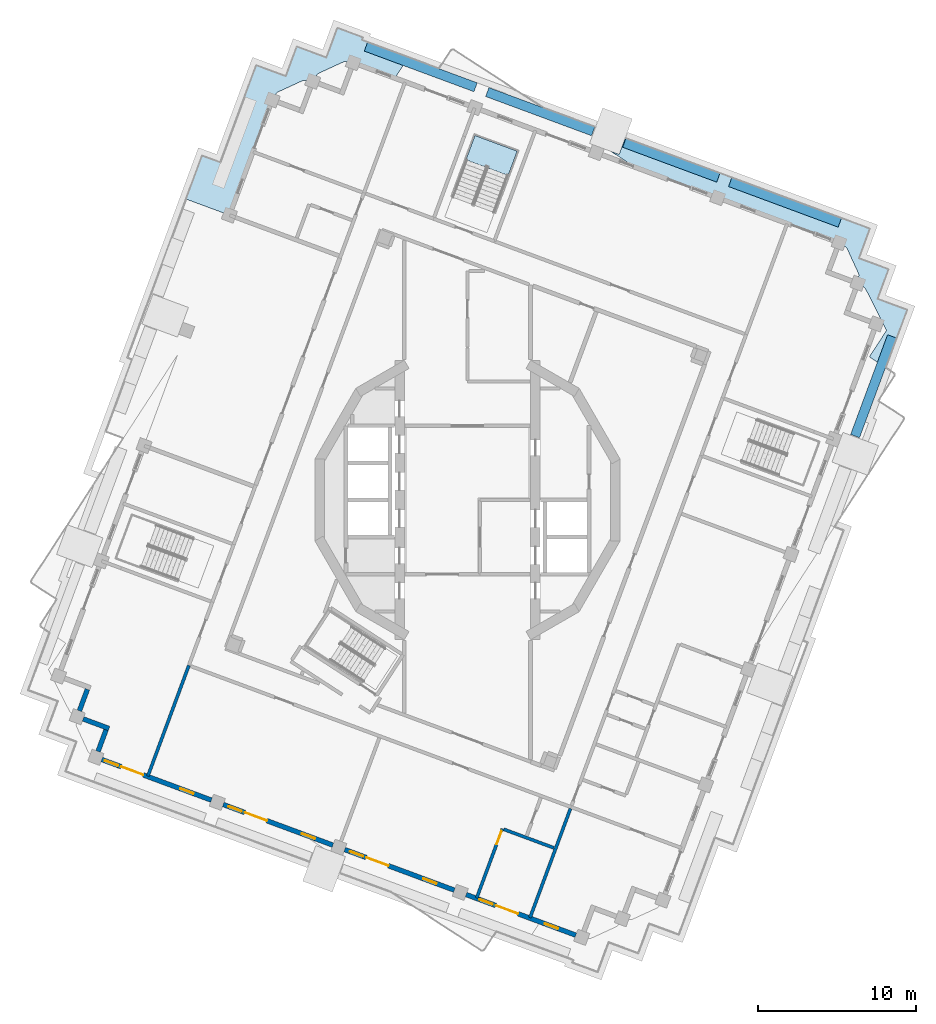
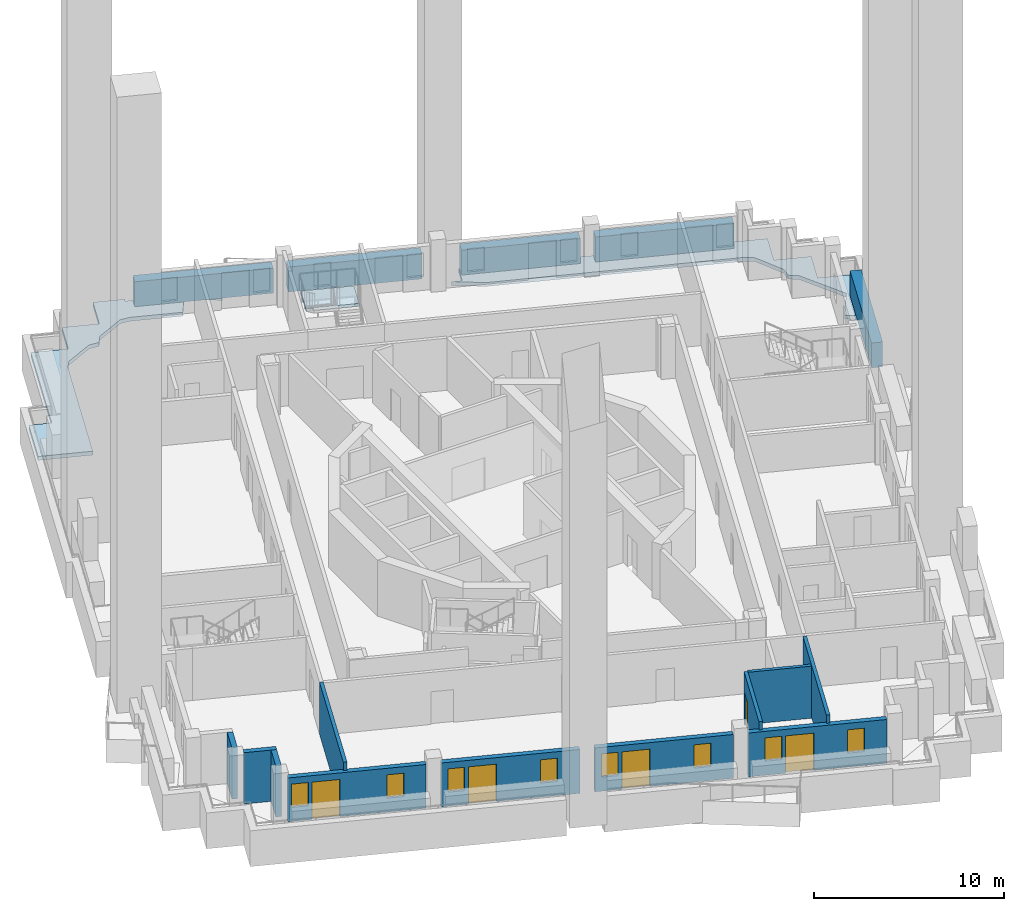
# One storey, part 2 of 20: 11 walls, 8 windows, 5 doors, 5 plates, 3 slabs, 13 openings, 1 element without a shape of its own.
"""IFC4 building model written with IfcOpenShell, lengths in metres."""

from ifc_helpers import new_model, si_unit, direction, frame, frame_2d, origin, origin_2d, place, context, subcontext, project, spatial, polyline, rectangle, outline, extrude, material, layer, layer_set, type_object, element, fill, aggregate, save


model = new_model("IFC4")

# Units and contexts
model_context = context("Model", 3, precision=1e-05, world=origin(), true_north=direction((0.0, 1.0)))
body_context = subcontext(model_context, "Body", "Model", "MODEL_VIEW")
ifc_project = project(units=[si_unit("LENGTHUNIT", "METRE"), si_unit("AREAUNIT", "SQUARE_METRE"), si_unit("VOLUMEUNIT", "CUBIC_METRE"), si_unit("PLANEANGLEUNIT", "RADIAN"), si_unit("MASSUNIT", "GRAM", prefix="KILO")], contexts=[model_context])

# Site, building, storey
site_placement = place(None, origin())
site = spatial("IfcSite", under=ifc_project, at=site_placement, CompositionType="ELEMENT")
building_placement = place(site_placement, origin())
building = spatial("IfcBuilding", under=site, at=building_placement, Name="Cantera Rosa Tower", CompositionType="ELEMENT")
storey_placement = place(building_placement, frame((0.0, 0.0, 306.10009765625)))
storey = spatial("IfcBuildingStorey", under=building, at=storey_placement, Name="L67", CompositionType="ELEMENT", Elevation=306.10009765625)

# Slabs
ifc_material_1 = material(Name="Concrete C35/45", Category="concrete")
ifc_layer_1 = layer(ifc_material_1, 0.25)
ifc_layer_set_1 = layer_set([ifc_layer_1], Name="LOGGIA SLAB 250 C35/45")
slab_type_1 = type_object("IfcSlabType", Name="LOGGIA SLAB 250 C35/45", PredefinedType="FLOOR", material=ifc_layer_set_1)
slab_1_placement = place(storey_placement, frame((0.0, 0.0, -0.25)))
element("IfcSlab", 1, at=slab_1_placement, inside=storey, type_object=slab_type_1, Name="LOGGIA SLAB L67 2", PredefinedType="FLOOR", context=body_context, shape_type="SweptSolid", body=[
    extrude(outline(polyline([(-11.779541015625, 26.920654296875), (-11.498291015625, 26.81640625), (-11.39404296875, 27.097900390625), (-10.80322265625, 28.69189453125), (-9.209228515625, 28.10107421875), (-8.927978515625, 27.996826171875), (-8.23291015625, 29.872314453125), (-6.638916015625, 29.281494140625), (-6.69921875, 29.119140625), (-1.819091796875, 27.310791015625), (-2.07177734375, 26.921630859375), (-3.7490234375, 28.0107421875), (-4.593505859375, 26.710693359375), (-6.25048828125, 27.32470703125), (-7.2294921875, 27.6875), (-7.6962890625, 27.74755859375), (-7.7255859375, 27.750732421875), (-7.7548828125, 27.751220703125), (-7.784423828125, 27.74853515625), (-7.813232421875, 27.7431640625), (-7.841552734375, 27.735107421875), (-7.868896484375, 27.72412109375), (-9.4111328125, 27.015625), (-9.437255859375, 27.002197265625), (-9.4619140625, 26.986083984375), (-9.48486328125, 26.9677734375), (-9.505859375, 26.947021484375), (-9.52490234375, 26.924560546875), (-9.54150390625, 26.900146484375), (-9.800048828125, 26.507080078125), (-10.2666015625, 26.567138671875), (-10.2958984375, 26.5703125), (-10.325439453125, 26.57080078125), (-10.354736328125, 26.568115234375), (-10.383544921875, 26.562744140625), (-10.411865234375, 26.554443359375), (-10.439208984375, 26.543701171875), (-11.9814453125, 25.835205078125), (-12.007568359375, 25.82177734375), (-12.0322265625, 25.8056640625), (-12.05517578125, 25.787353515625), (-12.076171875, 25.7666015625), (-12.09521484375, 25.744140625), (-12.11181640625, 25.7197265625), (-12.370361328125, 25.32666015625), (-12.733154296875, 24.347412109375), (-15.07373046875, 18.031494140625), (-17.816162109375, 19.047607421875), (-16.7998046875, 21.790283203125), (-15.651611328125, 21.36474609375), (-13.96435546875, 25.917236328125), (-13.373779296875, 27.511474609375), (-11.779541015625, 26.920654296875)])), origin(), (0.0, 0.0, 1.0), 0.25),
])
slab_2_placement = place(storey_placement, frame((0.0, 0.0, -0.25)))
element("IfcSlab", 2, at=slab_2_placement, inside=storey, type_object=slab_type_1, Name="LOGGIA SLAB L67 4", PredefinedType="FLOOR", context=body_context, shape_type="SweptSolid", body=[
    extrude(outline(polyline([(24.75927734375, 15.300048828125), (25.22802734375, 15.126220703125), (26.634765625, 14.60498046875), (26.11328125, 13.198486328125), (25.939697265625, 12.729736328125), (26.408447265625, 12.555908203125), (27.815185546875, 12.03466796875), (27.2939453125, 10.628173828125), (26.46435546875, 8.389892578125), (25.436767578125, 9.057373046875), (26.232177734375, 10.2822265625), (26.52587890625, 10.734619140625), (25.215576171875, 13.330810546875), (25.201904296875, 13.35693359375), (25.18603515625, 13.381591796875), (25.16748046875, 13.404541015625), (25.14697265625, 13.42578125), (25.12451171875, 13.444580078125), (25.10009765625, 13.461181640625), (24.706787109375, 13.7197265625), (24.76708984375, 14.186279296875), (24.770263671875, 14.2158203125), (24.7705078125, 14.2451171875), (24.76806640625, 14.2744140625), (24.7626953125, 14.303466796875), (24.75439453125, 14.331787109375), (24.743408203125, 14.35888671875), (24.03515625, 15.901123046875), (24.021484375, 15.92724609375), (24.005615234375, 15.951904296875), (23.987060546875, 15.974853515625), (23.966552734375, 15.99609375), (23.944091796875, 16.014892578125), (23.919677734375, 16.031494140625), (23.526611328125, 16.2900390625), (10.589111328125, 21.08447265625), (9.05908203125, 22.077880859375), (9.60009765625, 21.87744140625), (9.982421875, 22.90869140625), (10.076171875, 22.8740234375), (14.9521484375, 21.067138671875), (17.76513671875, 20.024658203125), (24.047607421875, 17.696533203125), (25.454345703125, 17.17529296875), (24.93310546875, 15.768798828125), (24.75927734375, 15.300048828125)])), origin(), (0.0, 0.0, 1.0), 0.25),
])

# Plates
ifc_material_2 = material(Name="Cantera stone planter with soil", Category="masonry")
plate_type = type_object("IfcPlateType", Name="PLANTER 600", PredefinedType="USERDEFINED", material=ifc_material_2)
plate_1_placement = place(storey_placement, frame((20.098876953125, 18.83984375, -0.000244140625), z_axis=(0.0, 0.0, 1.0), x_axis=(-0.937686936924, 0.347481234489, 0.0)))
element("IfcPlate", 3, at=plate_1_placement, inside=storey, type_object=plate_type, Name="PLANTER L67-01", ObjectType="PLANTER", PredefinedType="USERDEFINED", context=body_context, shape_type="SweptSolid", body=[
    extrude(rectangle(XDim=7.39990234375, YDim=0.60009765625, at=origin_2d()), origin(), (0.0, 0.0, 1.0), 1.60009765625),
])
plate_2_placement = place(storey_placement, frame((12.902099609375, 21.5068359375, -0.000244140625), z_axis=(0.0, 0.0, 1.0), x_axis=(-0.937686936924, 0.347481234489, 0.0)))
element("IfcPlate", 4, at=plate_2_placement, inside=storey, type_object=plate_type, Name="PLANTER L67-02", ObjectType="PLANTER", PredefinedType="USERDEFINED", context=body_context, shape_type="SweptSolid", body=[
    extrude(rectangle(XDim=6.35009765625, YDim=0.60009765625, at=origin_2d()), origin(), (0.0, 0.0, 1.0), 1.60009765625),
])
plate_3_placement = place(storey_placement, frame((4.603759765625, 24.58203125, -0.000244140625), z_axis=(0.0, 0.0, 1.0), x_axis=(-0.937686936924, 0.347481234489, 0.0)))
element("IfcPlate", 5, at=plate_3_placement, inside=storey, type_object=plate_type, Name="PLANTER L67-03", ObjectType="PLANTER", PredefinedType="USERDEFINED", context=body_context, shape_type="SweptSolid", body=[
    extrude(rectangle(XDim=7.14990234375, YDim=0.60009765625, at=origin_2d()), origin(), (0.0, 0.0, 1.0), 1.60009765625),
])
plate_4_placement = place(storey_placement, frame((-2.958740234375, 27.4130859375, -0.000244140625), z_axis=(0.0, 0.0, 1.0), x_axis=(-0.937686936924, 0.347481234489, 0.0)))
element("IfcPlate", 6, at=plate_4_placement, inside=storey, type_object=plate_type, Name="PLANTER L67-04", ObjectType="PLANTER", PredefinedType="USERDEFINED", context=body_context, shape_type="SweptSolid", body=[
    extrude(rectangle(XDim=7.39990234375, YDim=0.60009765625, at=origin_2d()), origin(), (0.0, 0.0, 1.0), 1.60009765625),
])
plate_5_placement = place(storey_placement, frame((25.704345703125, 7.201904296875, -0.000244140625), z_axis=(0.0, 0.0, 1.0), x_axis=(0.347481234489, 0.937686936924, 0.0)))
element("IfcPlate", 7, at=plate_5_placement, inside=storey, type_object=plate_type, Name="PLANTER L67-18", ObjectType="PLANTER", PredefinedType="USERDEFINED", context=body_context, shape_type="SweptSolid", body=[
    extrude(rectangle(XDim=6.72998046875, YDim=0.60009765625, at=origin_2d()), origin(), (0.0, 0.0, 1.0), 1.60009765625),
])

# Stair, slab
ifc_material_3 = material(Name="Concrete C35/45", Category="concrete")
stair_type = type_object("IfcStairType", Name="EXIT STAIR 1350 DOGLEG", PredefinedType="HALF_TURN_STAIR", material=ifc_material_3)
stair_placement = place(storey_placement, origin())
stair = element("IfcStair", 8, at=stair_placement, inside=storey, type_object=stair_type, Name="L67 ST-62", PredefinedType="HALF_TURN_STAIR")
ifc_material_4 = material(Name="Concrete C35/45", Category="concrete")
ifc_layer_2 = layer(ifc_material_4, 0.199951171875)
ifc_layer_set_2 = layer_set([ifc_layer_2], Name="STAIR LANDING 200")
slab_type_2 = type_object("IfcSlabType", Name="STAIR LANDING 200", PredefinedType="LANDING", material=ifc_layer_set_2)
slab_3_placement = place(storey_placement, frame((0.0, 0.0, 1.599853515625)))
slab_3 = element("IfcSlab", 9, at=slab_3_placement, type_object=slab_type_2, Name="ST-62 landing 1", PredefinedType="LANDING", context=body_context, shape_type="SweptSolid", body=[
    extrude(outline(polyline([(2.573974609375, 20.543701171875), (3.14453125, 22.08349609375), (0.47216796875, 23.07373046875), (-0.098388671875, 21.5341796875), (2.573974609375, 20.543701171875)])), origin(), (0.0, 0.0, 1.0), 0.199951171875),
])
aggregate(stair, [slab_3])

# Walls
ifc_material_5 = material(Name="Hollow clay masonry with cantera stone cladding", Category="masonry")
ifc_layer_3 = layer(ifc_material_5, 0.300048828125)
ifc_layer_set_3 = layer_set([ifc_layer_3], Name="EW-LOGGIA 300")
wall_type_1 = type_object("IfcWallType", Name="EW-LOGGIA 300", PredefinedType="SOLIDWALL", material=ifc_layer_set_3)
wall_1_placement = place(storey_placement, frame((-24.06396484375, -11.985107421875, 0.0), z_axis=(0.0, 0.0, 1.0), x_axis=(-0.347522732201, -0.937671557958, 0.0)))
element("IfcWall", 10, at=wall_1_placement, inside=storey, type_object=wall_type_1, Name="EN-L67-W12b", PredefinedType="SOLIDWALL", context=body_context, shape_type="SweptSolid", body=[
    extrude(rectangle(XDim=1.449951171875, YDim=0.300048828125, at=frame_2d((0.72509765625, 0.0))), origin(), (0.0, 0.0, 1.0), 3.2998046875),
])
wall_2_placement = place(storey_placement, frame((-24.331787109375, -13.858642578125, 0.0), z_axis=(0.0, 0.0, 1.0), x_axis=(0.937669639538, -0.34752790836, 0.0)))
element("IfcWall", 11, at=wall_2_placement, inside=storey, type_object=wall_type_1, Name="EN-L67-W13a", PredefinedType="SOLIDWALL", context=body_context, shape_type="SweptSolid", body=[
    extrude(rectangle(XDim=1.75, YDim=0.300048828125, at=frame_2d((0.875, 0.0))), origin(), (0.0, 0.0, 1.0), 3.2998046875),
])
wall_3_placement = place(storey_placement, frame((-22.883544921875, -14.555419921875, 0.0), z_axis=(0.0, 0.0, 1.0), x_axis=(-0.347522732201, -0.937671557958, 0.0)))
element("IfcWall", 12, at=wall_3_placement, inside=storey, type_object=wall_type_1, Name="EN-L67-W13b", PredefinedType="SOLIDWALL", context=body_context, shape_type="SweptSolid", body=[
    extrude(rectangle(XDim=1.449951171875, YDim=0.300048828125, at=frame_2d((0.72509765625, 0.0))), origin(), (0.0, 0.0, 1.0), 3.2998046875),
])

# Wall, openings, windows, door
ifc_material_6 = material(Name="Hollow clay masonry with cantera stone cladding", Category="masonry")
ifc_layer_4 = layer(ifc_material_6, 0.300048828125)
ifc_layer_set_4 = layer_set([ifc_layer_4], Name="EW-LOGGIA 300 H2820")
wall_type_2 = type_object("IfcWallType", Name="EW-LOGGIA 300 H2820", PredefinedType="SOLIDWALL", material=ifc_layer_set_4)
wall_4_placement = place(storey_placement, frame((-23.1513671875, -16.428955078125, 0.0), z_axis=(0.0, 0.0, 1.0), x_axis=(0.937676706507, -0.347508840281, 0.0)))
wall_4 = element("IfcWall", 13, at=wall_4_placement, inside=storey, type_object=wall_type_2, Name="EN-L67-W14", PredefinedType="SOLIDWALL", context=body_context, shape_type="SweptSolid", body=[
    extrude(rectangle(XDim=7.39990234375, YDim=0.300048828125, at=frame_2d((3.699951171875, 0.0))), origin(), (0.0, 0.0, 1.0), 2.81982421875),
])
opening_1_placement = place(wall_4_placement, frame((0.199951171875, 0.0, 0.89990234375)))
opening_1 = element("IfcOpeningElement", 14, at=opening_1_placement, cuts=wall_4, Name="Opening L67-W22", PredefinedType="OPENING", context=body_context, shape_type="SweptSolid", body=[
    extrude(rectangle(XDim=0.89990234375, YDim=1.5, at=frame_2d((0.449951171875, 0.75))), frame((0.0, 0.159912109375, 0.0), z_axis=(0.0, -1.0, 0.0), x_axis=(1.0, 0.0, 0.0)), (0.0, 0.0, 1.0), 0.320068359375),
])
opening_2_placement = place(wall_4_placement, frame((1.300048828125, 0.0, 0.0)))
opening_2 = element("IfcOpeningElement", 15, at=opening_2_placement, cuts=wall_4, Name="Opening L67-TD23", PredefinedType="OPENING", context=body_context, shape_type="SweptSolid", body=[
    extrude(rectangle(XDim=1.5, YDim=2.39990234375, at=frame_2d((0.75, 1.199951171875))), frame((0.0, 0.159912109375, 0.0), z_axis=(0.0, -1.0, 0.0), x_axis=(1.0, 0.0, 0.0)), (0.0, 0.0, 1.0), 0.320068359375),
])
opening_3_placement = place(wall_4_placement, frame((5.300048828125, 0.0, 0.89990234375)))
opening_3 = element("IfcOpeningElement", 16, at=opening_3_placement, cuts=wall_4, Name="Opening L67-W24", PredefinedType="OPENING", context=body_context, shape_type="SweptSolid", body=[
    extrude(rectangle(XDim=0.89990234375, YDim=1.5, at=frame_2d((0.449951171875, 0.75))), frame((0.0, 0.159912109375, 0.0), z_axis=(0.0, -1.0, 0.0), x_axis=(1.0, 0.0, 0.0)), (0.0, 0.0, 1.0), 0.320068359375),
])
ifc_material_7 = material(Name="Aluminium frame with clear glass", Category="aluminium")
window_type = type_object("IfcWindowType", Name="Residential window 900x1500", PartitioningType="SINGLE_PANEL", PredefinedType="WINDOW", material=ifc_material_7)
window_1_placement = place(opening_1_placement, origin())
window_1 = element("IfcWindow", 17, at=window_1_placement, inside=storey, type_object=window_type, Name="WINDOW L67-W22", OverallHeight=1.5, OverallWidth=0.89990234375, PartitioningType="SINGLE_PANEL", PredefinedType="WINDOW", context=body_context, shape_type="SweptSolid", body=[
    extrude(rectangle(XDim=0.89990234375, YDim=1.5, at=frame_2d((0.449951171875, 0.75))), frame((0.0, 0.030029296875, 0.0), z_axis=(0.0, -1.0, 0.0), x_axis=(1.0, 0.0, 0.0)), (0.0, 0.0, 1.0), 0.06005859375),
])
fill(opening_1, window_1)
window_2_placement = place(opening_3_placement, origin())
window_2 = element("IfcWindow", 18, at=window_2_placement, inside=storey, type_object=window_type, Name="WINDOW L67-W24", OverallHeight=1.5, OverallWidth=0.89990234375, PartitioningType="SINGLE_PANEL", PredefinedType="WINDOW", context=body_context, shape_type="SweptSolid", body=[
    extrude(rectangle(XDim=0.89990234375, YDim=1.5, at=frame_2d((0.449951171875, 0.75))), frame((0.0, 0.030029296875, 0.0), z_axis=(0.0, -1.0, 0.0), x_axis=(1.0, 0.0, 0.0)), (0.0, 0.0, 1.0), 0.06005859375),
])
fill(opening_3, window_2)
ifc_material_8 = material(Name="Aluminium frame with clear glass", Category="aluminium")
door_type_1 = type_object("IfcDoorType", Name="TD-R 1500x2400", OperationType="NOTDEFINED", PredefinedType="DOOR", material=ifc_material_8)
door_1_placement = place(opening_2_placement, origin())
door_1 = element("IfcDoor", 19, at=door_1_placement, inside=storey, type_object=door_type_1, Name="LOGGIA DOOR L67-TD23", OperationType="SLIDING_TO_LEFT", OverallHeight=2.39990234375, OverallWidth=1.5, PredefinedType="DOOR", context=body_context, shape_type="SweptSolid", body=[
    extrude(rectangle(XDim=1.5, YDim=2.39990234375, at=frame_2d((0.75, 1.199951171875))), frame((0.0, 0.02490234375, 0.0), z_axis=(0.0, -1.0, 0.0), x_axis=(1.0, 0.0, 0.0)), (0.0, 0.0, 1.0), 0.050048828125),
])
fill(opening_2, door_1)

wall_5_placement = place(storey_placement, frame((-15.46240234375, -19.2783203125, 0.0), z_axis=(0.0, 0.0, 1.0), x_axis=(0.937680690562, -0.34749808999, 0.0)))
wall_5 = element("IfcWall", 20, at=wall_5_placement, inside=storey, type_object=wall_type_2, Name="EN-L67-W15", PredefinedType="SOLIDWALL", context=body_context, shape_type="SweptSolid", body=[
    extrude(rectangle(XDim=7.400146484375, YDim=0.300048828125, at=frame_2d((3.7001953125, 0.0))), origin(), (0.0, 0.0, 1.0), 2.81982421875),
])
opening_4_placement = place(wall_5_placement, frame((0.35009765625, 0.0, 0.89990234375)))
opening_4 = element("IfcOpeningElement", 21, at=opening_4_placement, cuts=wall_5, Name="Opening L67-W25", PredefinedType="OPENING", context=body_context, shape_type="SweptSolid", body=[
    extrude(rectangle(XDim=0.89990234375, YDim=1.5, at=frame_2d((0.449951171875, 0.75))), frame((0.0, 0.159912109375, 0.0), z_axis=(0.0, -1.0, 0.0), x_axis=(1.0, 0.0, 0.0)), (0.0, 0.0, 1.0), 0.320068359375),
])
opening_5_placement = place(wall_5_placement, frame((1.449951171875, 0.0, 0.0)))
opening_5 = element("IfcOpeningElement", 22, at=opening_5_placement, cuts=wall_5, Name="Opening L67-TD26", PredefinedType="OPENING", context=body_context, shape_type="SweptSolid", body=[
    extrude(rectangle(XDim=1.5, YDim=2.39990234375, at=frame_2d((0.75, 1.199951171875))), frame((0.0, 0.159912109375, 0.0), z_axis=(0.0, -1.0, 0.0), x_axis=(1.0, 0.0, 0.0)), (0.0, 0.0, 1.0), 0.320068359375),
])
opening_6_placement = place(wall_5_placement, frame((5.300048828125, 0.0, 0.89990234375)))
opening_6 = element("IfcOpeningElement", 23, at=opening_6_placement, cuts=wall_5, Name="Opening L67-W27", PredefinedType="OPENING", context=body_context, shape_type="SweptSolid", body=[
    extrude(rectangle(XDim=0.89990234375, YDim=1.5, at=frame_2d((0.449951171875, 0.75))), frame((0.0, 0.159912109375, 0.0), z_axis=(0.0, -1.0, 0.0), x_axis=(1.0, 0.0, 0.0)), (0.0, 0.0, 1.0), 0.320068359375),
])
window_3_placement = place(opening_4_placement, origin())
window_3 = element("IfcWindow", 24, at=window_3_placement, inside=storey, type_object=window_type, Name="WINDOW L67-W25", OverallHeight=1.5, OverallWidth=0.89990234375, PartitioningType="SINGLE_PANEL", PredefinedType="WINDOW", context=body_context, shape_type="SweptSolid", body=[
    extrude(rectangle(XDim=0.89990234375, YDim=1.5, at=frame_2d((0.449951171875, 0.75))), frame((0.0, 0.030029296875, 0.0), z_axis=(0.0, -1.0, 0.0), x_axis=(1.0, 0.0, 0.0)), (0.0, 0.0, 1.0), 0.06005859375),
])
fill(opening_4, window_3)
window_4_placement = place(opening_6_placement, origin())
window_4 = element("IfcWindow", 25, at=window_4_placement, inside=storey, type_object=window_type, Name="WINDOW L67-W27", OverallHeight=1.5, OverallWidth=0.89990234375, PartitioningType="SINGLE_PANEL", PredefinedType="WINDOW", context=body_context, shape_type="SweptSolid", body=[
    extrude(rectangle(XDim=0.89990234375, YDim=1.5, at=frame_2d((0.449951171875, 0.75))), frame((0.0, 0.030029296875, 0.0), z_axis=(0.0, -1.0, 0.0), x_axis=(1.0, 0.0, 0.0)), (0.0, 0.0, 1.0), 0.06005859375),
])
fill(opening_6, window_4)
door_2_placement = place(opening_5_placement, origin())
door_2 = element("IfcDoor", 26, at=door_2_placement, inside=storey, type_object=door_type_1, Name="LOGGIA DOOR L67-TD26", OperationType="SLIDING_TO_LEFT", OverallHeight=2.39990234375, OverallWidth=1.5, PredefinedType="DOOR", context=body_context, shape_type="SweptSolid", body=[
    extrude(rectangle(XDim=1.5, YDim=2.39990234375, at=frame_2d((0.75, 1.199951171875))), frame((0.0, 0.02490234375, 0.0), z_axis=(0.0, -1.0, 0.0), x_axis=(1.0, 0.0, 0.0)), (0.0, 0.0, 1.0), 0.050048828125),
])
fill(opening_5, door_2)

wall_6_placement = place(storey_placement, frame((-7.7734375, -22.127685546875, 0.0), z_axis=(0.0, 0.0, 1.0), x_axis=(0.937680690562, -0.34749808999, 0.0)))
wall_6 = element("IfcWall", 27, at=wall_6_placement, inside=storey, type_object=wall_type_2, Name="EN-L67-W16", PredefinedType="SOLIDWALL", context=body_context, shape_type="SweptSolid", body=[
    extrude(rectangle(XDim=7.400146484375, YDim=0.300048828125, at=frame_2d((3.7001953125, 0.0))), origin(), (0.0, 0.0, 1.0), 2.81982421875),
])
opening_7_placement = place(wall_6_placement, frame((0.35009765625, 0.0, 0.89990234375)))
opening_7 = element("IfcOpeningElement", 28, at=opening_7_placement, cuts=wall_6, Name="Opening L67-W28", PredefinedType="OPENING", context=body_context, shape_type="SweptSolid", body=[
    extrude(rectangle(XDim=0.89990234375, YDim=1.5, at=frame_2d((0.449951171875, 0.75))), frame((0.0, 0.159912109375, 0.0), z_axis=(0.0, -1.0, 0.0), x_axis=(1.0, 0.0, 0.0)), (0.0, 0.0, 1.0), 0.320068359375),
])
opening_8_placement = place(wall_6_placement, frame((1.449951171875, 0.0, 0.0)))
opening_8 = element("IfcOpeningElement", 29, at=opening_8_placement, cuts=wall_6, Name="Opening L67-TD29", PredefinedType="OPENING", context=body_context, shape_type="SweptSolid", body=[
    extrude(rectangle(XDim=1.5, YDim=2.39990234375, at=frame_2d((0.75, 1.199951171875))), frame((0.0, 0.159912109375, 0.0), z_axis=(0.0, -1.0, 0.0), x_axis=(1.0, 0.0, 0.0)), (0.0, 0.0, 1.0), 0.320068359375),
])
opening_9_placement = place(wall_6_placement, frame((5.300048828125, 0.0, 0.89990234375)))
opening_9 = element("IfcOpeningElement", 30, at=opening_9_placement, cuts=wall_6, Name="Opening L67-W30", PredefinedType="OPENING", context=body_context, shape_type="SweptSolid", body=[
    extrude(rectangle(XDim=0.89990234375, YDim=1.5, at=frame_2d((0.449951171875, 0.75))), frame((0.0, 0.159912109375, 0.0), z_axis=(0.0, -1.0, 0.0), x_axis=(1.0, 0.0, 0.0)), (0.0, 0.0, 1.0), 0.320068359375),
])
window_5_placement = place(opening_7_placement, origin())
window_5 = element("IfcWindow", 31, at=window_5_placement, inside=storey, type_object=window_type, Name="WINDOW L67-W28", OverallHeight=1.5, OverallWidth=0.89990234375, PartitioningType="SINGLE_PANEL", PredefinedType="WINDOW", context=body_context, shape_type="SweptSolid", body=[
    extrude(rectangle(XDim=0.89990234375, YDim=1.5, at=frame_2d((0.449951171875, 0.75))), frame((0.0, 0.030029296875, 0.0), z_axis=(0.0, -1.0, 0.0), x_axis=(1.0, 0.0, 0.0)), (0.0, 0.0, 1.0), 0.06005859375),
])
fill(opening_7, window_5)
window_6_placement = place(opening_9_placement, origin())
window_6 = element("IfcWindow", 32, at=window_6_placement, inside=storey, type_object=window_type, Name="WINDOW L67-W30", OverallHeight=1.5, OverallWidth=0.89990234375, PartitioningType="SINGLE_PANEL", PredefinedType="WINDOW", context=body_context, shape_type="SweptSolid", body=[
    extrude(rectangle(XDim=0.89990234375, YDim=1.5, at=frame_2d((0.449951171875, 0.75))), frame((0.0, 0.030029296875, 0.0), z_axis=(0.0, -1.0, 0.0), x_axis=(1.0, 0.0, 0.0)), (0.0, 0.0, 1.0), 0.06005859375),
])
fill(opening_9, window_6)
door_3_placement = place(opening_8_placement, origin())
door_3 = element("IfcDoor", 33, at=door_3_placement, inside=storey, type_object=door_type_1, Name="LOGGIA DOOR L67-TD29", OperationType="SLIDING_TO_LEFT", OverallHeight=2.39990234375, OverallWidth=1.5, PredefinedType="DOOR", context=body_context, shape_type="SweptSolid", body=[
    extrude(rectangle(XDim=1.5, YDim=2.39990234375, at=frame_2d((0.75, 1.199951171875))), frame((0.0, 0.02490234375, 0.0), z_axis=(0.0, -1.0, 0.0), x_axis=(1.0, 0.0, 0.0)), (0.0, 0.0, 1.0), 0.050048828125),
])
fill(opening_8, door_3)

wall_7_placement = place(storey_placement, frame((-0.084228515625, -24.97705078125, 0.0), z_axis=(0.0, 0.0, 1.0), x_axis=(0.937687456783, -0.347479831633, 0.0)))
wall_7 = element("IfcWall", 34, at=wall_7_placement, inside=storey, type_object=wall_type_2, Name="EN-L67-W17", PredefinedType="SOLIDWALL", context=body_context, shape_type="SweptSolid", body=[
    extrude(rectangle(XDim=7.39990234375, YDim=0.300048828125, at=frame_2d((3.699951171875, 0.0))), origin(), (0.0, 0.0, 1.0), 2.81982421875),
])
opening_10_placement = place(wall_7_placement, frame((0.89990234375, 0.0, 0.89990234375)))
opening_10 = element("IfcOpeningElement", 35, at=opening_10_placement, cuts=wall_7, Name="Opening L67-W31", PredefinedType="OPENING", context=body_context, shape_type="SweptSolid", body=[
    extrude(rectangle(XDim=0.89990234375, YDim=1.5, at=frame_2d((0.449951171875, 0.75))), frame((0.0, 0.159912109375, 0.0), z_axis=(0.0, -1.0, 0.0), x_axis=(1.0, 0.0, 0.0)), (0.0, 0.0, 1.0), 0.320068359375),
])
opening_11_placement = place(wall_7_placement, frame((2.0, 0.0, 0.0)))
opening_11 = element("IfcOpeningElement", 36, at=opening_11_placement, cuts=wall_7, Name="Opening L67-TD32", PredefinedType="OPENING", context=body_context, shape_type="SweptSolid", body=[
    extrude(rectangle(XDim=1.5, YDim=2.39990234375, at=frame_2d((0.75, 1.199951171875))), frame((0.0, 0.159912109375, 0.0), z_axis=(0.0, -1.0, 0.0), x_axis=(1.0, 0.0, 0.0)), (0.0, 0.0, 1.0), 0.320068359375),
])
opening_12_placement = place(wall_7_placement, frame((5.300048828125, 0.0, 0.89990234375)))
opening_12 = element("IfcOpeningElement", 37, at=opening_12_placement, cuts=wall_7, Name="Opening L67-W33", PredefinedType="OPENING", context=body_context, shape_type="SweptSolid", body=[
    extrude(rectangle(XDim=0.89990234375, YDim=1.5, at=frame_2d((0.449951171875, 0.75))), frame((0.0, 0.159912109375, 0.0), z_axis=(0.0, -1.0, 0.0), x_axis=(1.0, 0.0, 0.0)), (0.0, 0.0, 1.0), 0.320068359375),
])
window_7_placement = place(opening_10_placement, origin())
window_7 = element("IfcWindow", 38, at=window_7_placement, inside=storey, type_object=window_type, Name="WINDOW L67-W31", OverallHeight=1.5, OverallWidth=0.89990234375, PartitioningType="SINGLE_PANEL", PredefinedType="WINDOW", context=body_context, shape_type="SweptSolid", body=[
    extrude(rectangle(XDim=0.89990234375, YDim=1.5, at=frame_2d((0.449951171875, 0.75))), frame((0.0, 0.030029296875, 0.0), z_axis=(0.0, -1.0, 0.0), x_axis=(1.0, 0.0, 0.0)), (0.0, 0.0, 1.0), 0.06005859375),
])
fill(opening_10, window_7)
window_8_placement = place(opening_12_placement, origin())
window_8 = element("IfcWindow", 39, at=window_8_placement, inside=storey, type_object=window_type, Name="WINDOW L67-W33", OverallHeight=1.5, OverallWidth=0.89990234375, PartitioningType="SINGLE_PANEL", PredefinedType="WINDOW", context=body_context, shape_type="SweptSolid", body=[
    extrude(rectangle(XDim=0.89990234375, YDim=1.5, at=frame_2d((0.449951171875, 0.75))), frame((0.0, 0.030029296875, 0.0), z_axis=(0.0, -1.0, 0.0), x_axis=(1.0, 0.0, 0.0)), (0.0, 0.0, 1.0), 0.06005859375),
])
fill(opening_12, window_8)
door_4_placement = place(opening_11_placement, origin())
door_4 = element("IfcDoor", 40, at=door_4_placement, inside=storey, type_object=door_type_1, Name="LOGGIA DOOR L67-TD32", OperationType="SLIDING_TO_LEFT", OverallHeight=2.39990234375, OverallWidth=1.5, PredefinedType="DOOR", context=body_context, shape_type="SweptSolid", body=[
    extrude(rectangle(XDim=1.5, YDim=2.39990234375, at=frame_2d((0.75, 1.199951171875))), frame((0.0, 0.02490234375, 0.0), z_axis=(0.0, -1.0, 0.0), x_axis=(1.0, 0.0, 0.0)), (0.0, 0.0, 1.0), 0.050048828125),
])
fill(opening_11, door_4)

# Wall
ifc_material_9 = material(Name="Gypsum board partition")
ifc_layer_5 = layer(ifc_material_9, 0.199951171875)
ifc_layer_set_5 = layer_set([ifc_layer_5], Name="PARTITION 200 H3350")
wall_type_3 = type_object("IfcWallType", Name="PARTITION 200 H3350", PredefinedType="PARTITIONING", material=ifc_layer_set_5)
wall_8_placement = place(storey_placement, frame((-17.638427734375, -10.4736328125, 0.0), z_axis=(0.0, 0.0, 1.0), x_axis=(-0.347488923611, -0.937684087509, 0.0)))
element("IfcWall", 41, at=wall_8_placement, inside=storey, type_object=wall_type_3, Name="PARTITION L67-003", PredefinedType="PARTITIONING", context=body_context, shape_type="SweptSolid", body=[
    extrude(rectangle(XDim=7.469970703125, YDim=0.199951171875, at=frame_2d((3.73486328125, 0.0))), origin(), (0.0, 0.0, 1.0), 3.349853515625),
])

# Wall, opening, door
wall_9_placement = place(storey_placement, frame((0.58251953125, -25.192138671875, 0.0), z_axis=(0.0, 0.0, 1.0), x_axis=(0.347453975961, 0.937697037741, 0.0)))
wall_9 = element("IfcWall", 42, at=wall_9_placement, inside=storey, type_object=wall_type_3, Name="PARTITION L67-053", PredefinedType="PARTITIONING", context=body_context, shape_type="SweptSolid", body=[
    extrude(rectangle(XDim=4.669921875, YDim=0.199951171875, at=frame_2d((2.3349609375, 0.0))), origin(), (0.0, 0.0, 1.0), 3.349853515625),
])
opening_13_placement = place(wall_9_placement, frame((3.6201171875, 0.0, 0.0)))
opening_13 = element("IfcOpeningElement", 43, at=opening_13_placement, cuts=wall_9, Name="Opening L67-030", PredefinedType="OPENING", context=body_context, shape_type="SweptSolid", body=[
    extrude(rectangle(XDim=0.89990234375, YDim=2.10009765625, at=frame_2d((0.449951171875, 1.050048828125))), frame((0.0, 0.10986328125, 0.0), z_axis=(0.0, -1.0, 0.0), x_axis=(1.0, 0.0, 0.0)), (0.0, 0.0, 1.0), 0.219970703125),
])
ifc_material_10 = material(Name="Timber door leaf", Category="wood")
door_type_2 = type_object("IfcDoorType", Name="ROOM DOOR 900x2100", OperationType="NOTDEFINED", PredefinedType="DOOR", material=ifc_material_10)
door_5_placement = place(opening_13_placement, origin())
door_5 = element("IfcDoor", 44, at=door_5_placement, inside=storey, type_object=door_type_2, Name="DOOR L67-030", OperationType="NOTDEFINED", OverallHeight=2.10009765625, OverallWidth=0.89990234375, PredefinedType="DOOR", context=body_context, shape_type="SweptSolid", body=[
    extrude(rectangle(XDim=0.89990234375, YDim=2.10009765625, at=frame_2d((0.449951171875, 1.050048828125))), frame((0.0, 0.02490234375, 0.0), z_axis=(0.0, -1.0, 0.0), x_axis=(1.0, 0.0, 0.0)), (0.0, 0.0, 1.0), 0.050048828125),
])
fill(opening_13, door_5)

# Walls
wall_10_placement = place(storey_placement, frame((2.299072265625, -20.847900390625, 0.0), z_axis=(0.0, 0.0, 1.0), x_axis=(0.937681654431, -0.347495489098, 0.0)))
element("IfcWall", 45, at=wall_10_placement, inside=storey, type_object=wall_type_3, Name="PARTITION L67-059", PredefinedType="PARTITIONING", context=body_context, shape_type="SweptSolid", body=[
    extrude(rectangle(XDim=3.380126953125, YDim=0.199951171875, at=frame_2d((1.68994140625, 0.0))), origin(), (0.0, 0.0, 1.0), 3.349853515625),
])
ifc_material_11 = material(Name="Gypsum board partition")
ifc_layer_6 = layer(ifc_material_11, 0.199951171875)
ifc_layer_set_6 = layer_set([ifc_layer_6], Name="PARTY WALL 200 H3350")
wall_type_4 = type_object("IfcWallType", Name="PARTY WALL 200 H3350", PredefinedType="PARTITIONING", material=ifc_layer_set_6)
wall_11_placement = place(storey_placement, frame((3.958251953125, -26.443115234375, 0.0), z_axis=(0.0, 0.0, 1.0), x_axis=(0.347468637221, 0.937691605032, 0.0)))
element("IfcWall", 46, at=wall_11_placement, inside=storey, type_object=wall_type_4, Name="PARTY WALL L67-061", PredefinedType="PARTITIONING", context=body_context, shape_type="SweptSolid", body=[
    extrude(rectangle(XDim=7.369873046875, YDim=0.199951171875, at=frame_2d((3.68505859375, 0.0))), origin(), (0.0, 0.0, 1.0), 3.349853515625),
])

save(model, "model.ifc")
